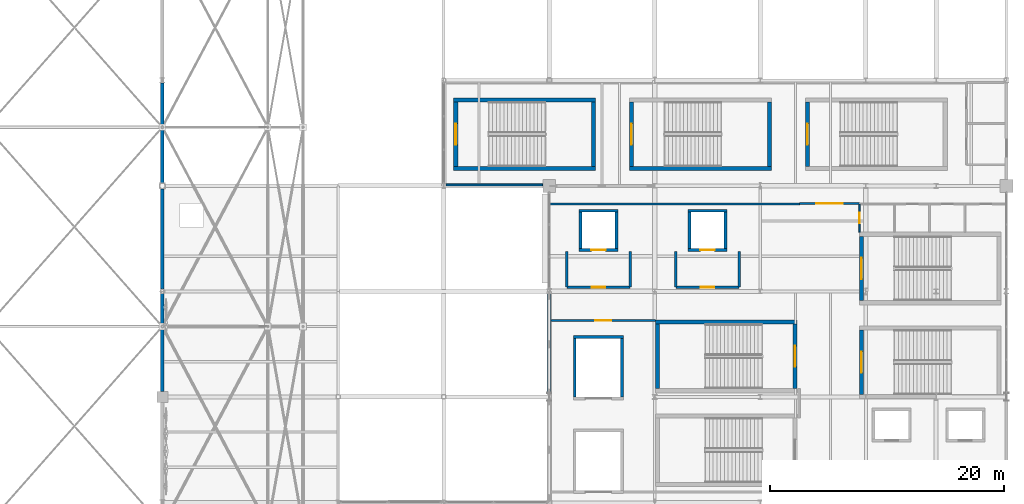
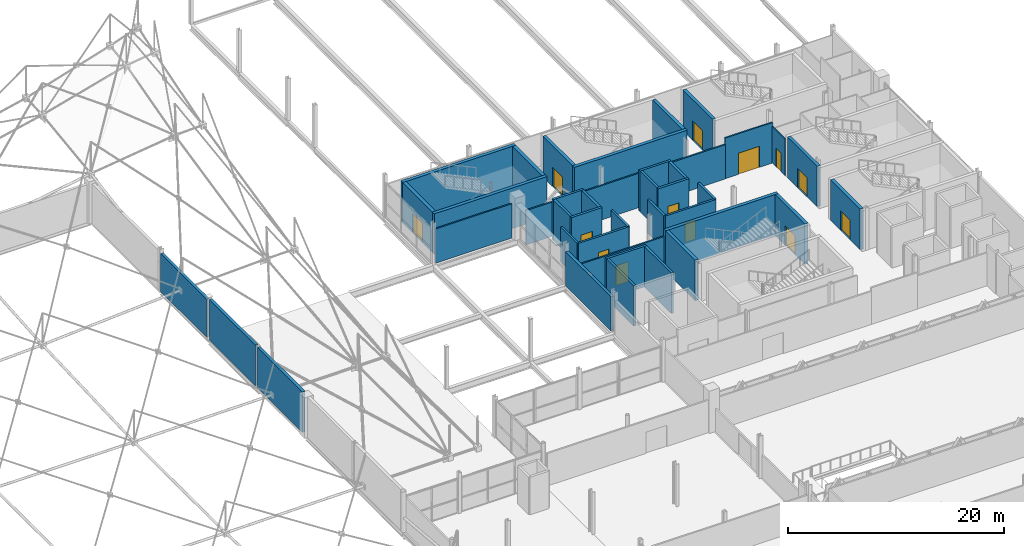
# One storey, part 199 of 224: 39 walls, 13 doors, 13 openings.
"""IFC4 building model written with IfcOpenShell, lengths in metres."""

from ifc_helpers import new_model, si_unit, direction, frame, frame_2d, origin, place, context, subcontext, project, spatial, rectangle, extrude, material, layer, layer_set, type_object, element, fill, save


model = new_model("IFC4")

# Units and contexts
model_context = context("Model", 3, precision=1e-05, world=origin(), true_north=direction((0.0, 1.0)))
body_context = subcontext(model_context, "Body", "Model", "MODEL_VIEW")
ifc_project = project(units=[si_unit("LENGTHUNIT", "METRE"), si_unit("AREAUNIT", "SQUARE_METRE"), si_unit("VOLUMEUNIT", "CUBIC_METRE"), si_unit("PLANEANGLEUNIT", "RADIAN"), si_unit("MASSUNIT", "GRAM", prefix="KILO")], contexts=[model_context])

# Site, building, storey
site_placement = place(None, origin())
site = spatial("IfcSite", under=ifc_project, at=site_placement, CompositionType="ELEMENT")
building_placement = place(site_placement, origin())
building = spatial("IfcBuilding", under=site, at=building_placement, Name="Qamarlyn Nura Convention Centre", CompositionType="ELEMENT")
storey_placement = place(building_placement, frame((0.0, 0.0, 10.800048828125)))
storey = spatial("IfcBuildingStorey", under=building, at=storey_placement, Name="L02", CompositionType="ELEMENT", Elevation=10.800048828125)

# Wall, opening, door
ifc_material_1 = material(Name="Fire-rated acoustic gypsum board and mineral wool EI 120")
ifc_layer_1 = layer(ifc_material_1, 0.219970703125, Name="WT-COMP-220")
ifc_layer_set_1 = layer_set([ifc_layer_1], Name="Fire-rated acoustic gypsum board and mineral wool EI 120")
wall_type_1 = type_object("IfcWallType", Name="WT-COMP-220", PredefinedType="SOLIDWALL", material=ifc_layer_set_1)
wall_1_placement = place(storey_placement, frame((154.5, 72.35009765625, 0.0), z_axis=(0.0, 0.0, 1.0), x_axis=(1.0, 0.0, 0.0)))
wall_1 = element("IfcWall", 1, at=wall_1_placement, inside=storey, type_object=wall_type_1, Name="L02 firefighting lobby barrier wall FFL-03-OPP", PredefinedType="SOLIDWALL", context=body_context, shape_type="SweptSolid", body=[
    extrude(rectangle(XDim=5.39990234375, YDim=0.219970703125, at=frame_2d((2.699951171875, 0.0))), origin(), (0.0, 0.0, 1.0), 3.973876953125),
])
opening_1_placement = place(wall_1_placement, frame((2.139892578125, 0.0, 0.0)))
opening_1 = element("IfcOpeningElement", 2, at=opening_1_placement, cuts=wall_1, Name="Opening DF-120", PredefinedType="OPENING", context=body_context, shape_type="SweptSolid", body=[
    extrude(rectangle(XDim=1.1201171875, YDim=2.199951171875, at=frame_2d((0.56005859375, 1.10009765625))), frame((0.0, 0.1201171875, 0.0), z_axis=(0.0, -1.0, 0.0), x_axis=(1.0, 0.0, 0.0)), (0.0, 0.0, 1.0), 0.239990234375),
])
ifc_material_2 = material(Name="Galvanised fire-rated hollow steel door", Category="steel")
door_type_1 = type_object("IfcDoorType", Name="DR-FFL-1120", OperationType="NOTDEFINED", PredefinedType="DOOR", material=ifc_material_2)
door_1_placement = place(opening_1_placement, origin())
door_1 = element("IfcDoor", 3, at=door_1_placement, inside=storey, type_object=door_type_1, Name="L02 firefighting lobby door FFL-03 (DF-120)", OperationType="SINGLE_SWING_RIGHT", OverallHeight=2.199951171875, OverallWidth=1.1201171875, PredefinedType="DOOR", context=body_context, shape_type="SweptSolid", body=[
    extrude(rectangle(XDim=1.1201171875, YDim=2.199951171875, at=frame_2d((0.56005859375, 1.10009765625))), frame((0.0, 0.02490234375, 0.0), z_axis=(0.0, -1.0, 0.0), x_axis=(1.0, 0.0, 0.0)), (0.0, 0.0, 1.0), 0.050048828125),
])
fill(opening_1, door_1)

# Walls
for number, where, z_axis, x_axis, name in (
    (4, (154.5, 72.35009765625, 0.0), (0.0, 0.0, 1.0), (0.0, 1.0, 0.0), "L02 firefighting lobby barrier wall FFL-03-W"),
    (5, (159.89990234375, 72.35009765625, 0.0), (0.0, 0.0, 1.0), (0.0, 1.0, 0.0), "L02 firefighting lobby barrier wall FFL-03-E"),
):
    element("IfcWall", number, at=place(storey_placement, frame(where, z_axis=z_axis, x_axis=x_axis)), inside=storey, type_object=wall_type_1, Name=name, PredefinedType="SOLIDWALL", context=body_context, shape_type="SweptSolid", body=[
        extrude(rectangle(XDim=3.0498046875, YDim=0.219970703125, at=frame_2d((1.52490234375, 0.0))), origin(), (0.0, 0.0, 1.0), 3.973876953125),
    ])

# Wall, opening, door
wall_2_placement = place(storey_placement, frame((163.800048828125, 72.35009765625, 0.0), z_axis=(0.0, 0.0, 1.0), x_axis=(1.0, 0.0, 0.0)))
wall_2 = element("IfcWall", 6, at=wall_2_placement, inside=storey, type_object=wall_type_1, Name="L02 firefighting lobby barrier wall FFL-04-OPP", PredefinedType="SOLIDWALL", context=body_context, shape_type="SweptSolid", body=[
    extrude(rectangle(XDim=5.39990234375, YDim=0.219970703125, at=frame_2d((2.699951171875, 0.0))), origin(), (0.0, 0.0, 1.0), 3.81201171875),
])
opening_2_placement = place(wall_2_placement, frame((2.139892578125, 0.0, 0.0)))
opening_2 = element("IfcOpeningElement", 7, at=opening_2_placement, cuts=wall_2, Name="Opening DF-127", PredefinedType="OPENING", context=body_context, shape_type="SweptSolid", body=[
    extrude(rectangle(XDim=1.1201171875, YDim=2.199951171875, at=frame_2d((0.56005859375, 1.10009765625))), frame((0.0, 0.1201171875, 0.0), z_axis=(0.0, -1.0, 0.0), x_axis=(1.0, 0.0, 0.0)), (0.0, 0.0, 1.0), 0.239990234375),
])
door_2_placement = place(opening_2_placement, origin())
door_2 = element("IfcDoor", 8, at=door_2_placement, inside=storey, type_object=door_type_1, Name="L02 firefighting lobby door FFL-04 (DF-127)", OperationType="SINGLE_SWING_LEFT", OverallHeight=2.199951171875, OverallWidth=1.1201171875, PredefinedType="DOOR", context=body_context, shape_type="SweptSolid", body=[
    extrude(rectangle(XDim=1.1201171875, YDim=2.199951171875, at=frame_2d((0.56005859375, 1.10009765625))), frame((0.0, 0.02490234375, 0.0), z_axis=(0.0, -1.0, 0.0), x_axis=(1.0, 0.0, 0.0)), (0.0, 0.0, 1.0), 0.050048828125),
])
fill(opening_2, door_2)

# Walls
for number, where, z_axis, x_axis, name in (
    (9, (163.800048828125, 72.35009765625, 0.0), (0.0, 0.0, 1.0), (0.0, 1.0, 0.0), "L02 firefighting lobby barrier wall FFL-04-W"),
    (10, (169.199951171875, 72.35009765625, 0.0), (0.0, 0.0, 1.0), (0.0, 1.0, 0.0), "L02 firefighting lobby barrier wall FFL-04-E"),
):
    element("IfcWall", number, at=place(storey_placement, frame(where, z_axis=z_axis, x_axis=x_axis)), inside=storey, type_object=wall_type_1, Name=name, PredefinedType="SOLIDWALL", context=body_context, shape_type="SweptSolid", body=[
        extrude(rectangle(XDim=3.0498046875, YDim=0.219970703125, at=frame_2d((1.52490234375, 0.0))), origin(), (0.0, 0.0, 1.0), 3.81201171875),
    ])
ifc_material_3 = material(Name="Concrete C50/60", Category="concrete")
ifc_layer_2 = layer(ifc_material_3, 0.35009765625, Name="WT-CORE-350")
ifc_layer_set_2 = layer_set([ifc_layer_2], Name="Concrete C50/60")
wall_type_2 = type_object("IfcWallType", Name="WT-CORE-350", PredefinedType="SHEAR", material=ifc_layer_set_2)
wall_3_placement = place(storey_placement, frame((174.14990234375, 69.375, 0.0), z_axis=(0.0, 0.0, 1.0), x_axis=(-1.0, 0.0, 0.0)))
element("IfcWall", 11, at=wall_3_placement, inside=storey, type_object=wall_type_2, Name="L02 stair core shear wall ST-12-N", PredefinedType="SHEAR", context=body_context, shape_type="SweptSolid", body=[
    extrude(rectangle(XDim=12.099853515625, YDim=0.35009765625, at=frame_2d((6.0498046875, 0.0))), origin(), (0.0, 0.0, 1.0), 4.599853515625),
])
wall_4_placement = place(storey_placement, frame((162.22509765625, 69.199951171875, 0.0), z_axis=(0.0, 0.0, 1.0), x_axis=(0.0, -1.0, 0.0)))
element("IfcWall", 12, at=wall_4_placement, inside=storey, type_object=wall_type_2, Name="L02 stair core shear wall ST-12-W", PredefinedType="SHEAR", context=body_context, shape_type="SweptSolid", body=[
    extrude(rectangle(XDim=5.5, YDim=0.35009765625, at=frame_2d((2.75, 0.0))), origin(), (0.0, 0.0, 1.0), 4.599853515625),
])

# Wall, opening, door
wall_5_placement = place(storey_placement, frame((173.97509765625, 63.699951171875, 0.0), z_axis=(0.0, 0.0, 1.0), x_axis=(0.0, 1.0, 0.0)))
wall_5 = element("IfcWall", 13, at=wall_5_placement, inside=storey, type_object=wall_type_2, Name="L02 stair core shear wall ST-12-E", PredefinedType="SHEAR", context=body_context, shape_type="SweptSolid", body=[
    extrude(rectangle(XDim=5.5, YDim=0.35009765625, at=frame_2d((2.75, 0.0))), origin(), (0.0, 0.0, 1.0), 4.599853515625),
])
opening_3_placement = place(wall_5_placement, frame((1.85009765625, 0.0, 0.0)))
opening_3 = element("IfcOpeningElement", 14, at=opening_3_placement, cuts=wall_5, Name="Opening DS-053", PredefinedType="OPENING", context=body_context, shape_type="SweptSolid", body=[
    extrude(rectangle(XDim=1.800048828125, YDim=2.199951171875, at=frame_2d((0.89990234375, 1.10009765625))), frame((0.0, 0.18505859375, 0.0), z_axis=(0.0, -1.0, 0.0), x_axis=(1.0, 0.0, 0.0)), (0.0, 0.0, 1.0), 0.3701171875),
])
door_type_2 = type_object("IfcDoorType", Name="DR-STAIR-1800", OperationType="DOUBLE_DOOR_SINGLE_SWING", PredefinedType="DOOR", material=ifc_material_2)
door_3_placement = place(opening_3_placement, origin())
door_3 = element("IfcDoor", 15, at=door_3_placement, inside=storey, type_object=door_type_2, Name="L02 exit stair door ST-12 (DS-053)", OperationType="DOUBLE_DOOR_SINGLE_SWING", OverallHeight=2.199951171875, OverallWidth=1.800048828125, PredefinedType="DOOR", context=body_context, shape_type="SweptSolid", body=[
    extrude(rectangle(XDim=1.800048828125, YDim=2.199951171875, at=frame_2d((0.89990234375, 1.10009765625))), frame((0.0, 0.02490234375, 0.0), z_axis=(0.0, -1.0, 0.0), x_axis=(1.0, 0.0, 0.0)), (0.0, 0.0, 1.0), 0.050048828125),
])
fill(opening_3, door_3)

wall_6_placement = place(storey_placement, frame((179.625, 68.699951171875, 0.0), z_axis=(0.0, 0.0, 1.0), x_axis=(0.0, -1.0, 0.0)))
wall_6 = element("IfcWall", 16, at=wall_6_placement, inside=storey, type_object=wall_type_2, Name="L02 stair core shear wall ST-13-W", PredefinedType="SHEAR", context=body_context, shape_type="SweptSolid", body=[
    extrude(rectangle(XDim=5.5, YDim=0.35009765625, at=frame_2d((2.75, 0.0))), origin(), (0.0, 0.0, 1.0), 4.599853515625),
])
opening_4_placement = place(wall_6_placement, frame((1.85009765625, 0.0, 0.0)))
opening_4 = element("IfcOpeningElement", 17, at=opening_4_placement, cuts=wall_6, Name="Opening DS-060", PredefinedType="OPENING", context=body_context, shape_type="SweptSolid", body=[
    extrude(rectangle(XDim=1.800048828125, YDim=2.199951171875, at=frame_2d((0.89990234375, 1.10009765625))), frame((0.0, 0.18505859375, 0.0), z_axis=(0.0, -1.0, 0.0), x_axis=(1.0, 0.0, 0.0)), (0.0, 0.0, 1.0), 0.3701171875),
])
door_4_placement = place(opening_4_placement, origin())
door_4 = element("IfcDoor", 18, at=door_4_placement, inside=storey, type_object=door_type_2, Name="L02 exit stair door ST-13 (DS-060)", OperationType="DOUBLE_DOOR_SINGLE_SWING", OverallHeight=2.199951171875, OverallWidth=1.800048828125, PredefinedType="DOOR", context=body_context, shape_type="SweptSolid", body=[
    extrude(rectangle(XDim=1.800048828125, YDim=2.199951171875, at=frame_2d((0.89990234375, 1.10009765625))), frame((0.0, 0.02490234375, 0.0), z_axis=(0.0, -1.0, 0.0), x_axis=(1.0, 0.0, 0.0)), (0.0, 0.0, 1.0), 0.050048828125),
])
fill(opening_4, door_4)

wall_7_placement = place(storey_placement, frame((179.625, 76.699951171875, 0.0), z_axis=(0.0, 0.0, 1.0), x_axis=(0.0, -1.0, 0.0)))
wall_7 = element("IfcWall", 19, at=wall_7_placement, inside=storey, type_object=wall_type_2, Name="L02 stair core shear wall ST-14-W", PredefinedType="SHEAR", context=body_context, shape_type="SweptSolid", body=[
    extrude(rectangle(XDim=5.5, YDim=0.35009765625, at=frame_2d((2.75, 0.0))), origin(), (0.0, 0.0, 1.0), 4.599853515625),
])
opening_5_placement = place(wall_7_placement, frame((1.85009765625, 0.0, 0.0)))
opening_5 = element("IfcOpeningElement", 20, at=opening_5_placement, cuts=wall_7, Name="Opening DS-067", PredefinedType="OPENING", context=body_context, shape_type="SweptSolid", body=[
    extrude(rectangle(XDim=1.800048828125, YDim=2.199951171875, at=frame_2d((0.89990234375, 1.10009765625))), frame((0.0, 0.18505859375, 0.0), z_axis=(0.0, -1.0, 0.0), x_axis=(1.0, 0.0, 0.0)), (0.0, 0.0, 1.0), 0.3701171875),
])
door_5_placement = place(opening_5_placement, origin())
door_5 = element("IfcDoor", 21, at=door_5_placement, inside=storey, type_object=door_type_2, Name="L02 exit stair door ST-14 (DS-067)", OperationType="DOUBLE_DOOR_SINGLE_SWING", OverallHeight=2.199951171875, OverallWidth=1.800048828125, PredefinedType="DOOR", context=body_context, shape_type="SweptSolid", body=[
    extrude(rectangle(XDim=1.800048828125, YDim=2.199951171875, at=frame_2d((0.89990234375, 1.10009765625))), frame((0.0, 0.02490234375, 0.0), z_axis=(0.0, -1.0, 0.0), x_axis=(1.0, 0.0, 0.0)), (0.0, 0.0, 1.0), 0.050048828125),
])
fill(opening_5, door_5)

# Walls
for number, where, z_axis, x_axis, name in (
    (22, (144.85009765625, 82.47509765625, 0.0), (0.0, 0.0, 1.0), (1.0, 0.0, 0.0), "L02 stair core shear wall ST-15-S"),
    (23, (156.949951171875, 88.324951171875, 0.0), (0.0, 0.0, 1.0), (-1.0, 0.0, 0.0), "L02 stair core shear wall ST-15-N"),
):
    element("IfcWall", number, at=place(storey_placement, frame(where, z_axis=z_axis, x_axis=x_axis)), inside=storey, type_object=wall_type_2, Name=name, PredefinedType="SHEAR", context=body_context, shape_type="SweptSolid", body=[
        extrude(rectangle(XDim=12.099853515625, YDim=0.35009765625, at=frame_2d((6.0498046875, 0.0))), origin(), (0.0, 0.0, 1.0), 4.599853515625),
    ])

# Wall, opening, door
wall_8_placement = place(storey_placement, frame((145.02490234375, 88.14990234375, 0.0), z_axis=(0.0, 0.0, 1.0), x_axis=(0.0, -1.0, 0.0)))
wall_8 = element("IfcWall", 24, at=wall_8_placement, inside=storey, type_object=wall_type_2, Name="L02 stair core shear wall ST-15-W", PredefinedType="SHEAR", context=body_context, shape_type="SweptSolid", body=[
    extrude(rectangle(XDim=5.5, YDim=0.35009765625, at=frame_2d((2.75, 0.0))), origin(), (0.0, 0.0, 1.0), 4.599853515625),
])
opening_6_placement = place(wall_8_placement, frame((1.85009765625, 0.0, 0.0)))
opening_6 = element("IfcOpeningElement", 25, at=opening_6_placement, cuts=wall_8, Name="Opening DS-074", PredefinedType="OPENING", context=body_context, shape_type="SweptSolid", body=[
    extrude(rectangle(XDim=1.800048828125, YDim=2.199951171875, at=frame_2d((0.89990234375, 1.10009765625))), frame((0.0, 0.18505859375, 0.0), z_axis=(0.0, -1.0, 0.0), x_axis=(1.0, 0.0, 0.0)), (0.0, 0.0, 1.0), 0.3701171875),
])
door_6_placement = place(opening_6_placement, origin())
door_6 = element("IfcDoor", 26, at=door_6_placement, inside=storey, type_object=door_type_2, Name="L02 exit stair door ST-15 (DS-074)", OperationType="DOUBLE_DOOR_SINGLE_SWING", OverallHeight=2.199951171875, OverallWidth=1.800048828125, PredefinedType="DOOR", context=body_context, shape_type="SweptSolid", body=[
    extrude(rectangle(XDim=1.800048828125, YDim=2.199951171875, at=frame_2d((0.89990234375, 1.10009765625))), frame((0.0, 0.02490234375, 0.0), z_axis=(0.0, -1.0, 0.0), x_axis=(1.0, 0.0, 0.0)), (0.0, 0.0, 1.0), 0.050048828125),
])
fill(opening_6, door_6)

# Walls
wall_9_placement = place(storey_placement, frame((156.77490234375, 82.64990234375, 0.0), z_axis=(0.0, 0.0, 1.0), x_axis=(0.0, 1.0, 0.0)))
element("IfcWall", 27, at=wall_9_placement, inside=storey, type_object=wall_type_2, Name="L02 stair core shear wall ST-15-E", PredefinedType="SHEAR", context=body_context, shape_type="SweptSolid", body=[
    extrude(rectangle(XDim=5.5, YDim=0.35009765625, at=frame_2d((2.75, 0.0))), origin(), (0.0, 0.0, 1.0), 4.599853515625),
])
wall_10_placement = place(storey_placement, frame((159.85009765625, 82.47509765625, 0.0), z_axis=(0.0, 0.0, 1.0), x_axis=(1.0, 0.0, 0.0)))
element("IfcWall", 28, at=wall_10_placement, inside=storey, type_object=wall_type_2, Name="L02 stair core shear wall ST-16-S", PredefinedType="SHEAR", context=body_context, shape_type="SweptSolid", body=[
    extrude(rectangle(XDim=12.099853515625, YDim=0.35009765625, at=frame_2d((6.0498046875, 0.0))), origin(), (0.0, 0.0, 1.0), 4.599853515625),
])

# Wall, opening, door
wall_11_placement = place(storey_placement, frame((160.02490234375, 88.14990234375, 0.0), z_axis=(0.0, 0.0, 1.0), x_axis=(0.0, -1.0, 0.0)))
wall_11 = element("IfcWall", 29, at=wall_11_placement, inside=storey, type_object=wall_type_2, Name="L02 stair core shear wall ST-16-W", PredefinedType="SHEAR", context=body_context, shape_type="SweptSolid", body=[
    extrude(rectangle(XDim=5.5, YDim=0.35009765625, at=frame_2d((2.75, 0.0))), origin(), (0.0, 0.0, 1.0), 4.599853515625),
])
opening_7_placement = place(wall_11_placement, frame((1.85009765625, 0.0, 0.0)))
opening_7 = element("IfcOpeningElement", 30, at=opening_7_placement, cuts=wall_11, Name="Opening DS-080", PredefinedType="OPENING", context=body_context, shape_type="SweptSolid", body=[
    extrude(rectangle(XDim=1.800048828125, YDim=2.199951171875, at=frame_2d((0.89990234375, 1.10009765625))), frame((0.0, 0.18505859375, 0.0), z_axis=(0.0, -1.0, 0.0), x_axis=(1.0, 0.0, 0.0)), (0.0, 0.0, 1.0), 0.3701171875),
])
door_7_placement = place(opening_7_placement, origin())
door_7 = element("IfcDoor", 31, at=door_7_placement, inside=storey, type_object=door_type_2, Name="L02 exit stair door ST-16 (DS-080)", OperationType="DOUBLE_DOOR_SINGLE_SWING", OverallHeight=2.199951171875, OverallWidth=1.800048828125, PredefinedType="DOOR", context=body_context, shape_type="SweptSolid", body=[
    extrude(rectangle(XDim=1.800048828125, YDim=2.199951171875, at=frame_2d((0.89990234375, 1.10009765625))), frame((0.0, 0.02490234375, 0.0), z_axis=(0.0, -1.0, 0.0), x_axis=(1.0, 0.0, 0.0)), (0.0, 0.0, 1.0), 0.050048828125),
])
fill(opening_7, door_7)

# Wall
wall_12_placement = place(storey_placement, frame((171.77490234375, 82.64990234375, 0.0), z_axis=(0.0, 0.0, 1.0), x_axis=(0.0, 1.0, 0.0)))
element("IfcWall", 32, at=wall_12_placement, inside=storey, type_object=wall_type_2, Name="L02 stair core shear wall ST-16-E", PredefinedType="SHEAR", context=body_context, shape_type="SweptSolid", body=[
    extrude(rectangle(XDim=5.5, YDim=0.35009765625, at=frame_2d((2.75, 0.0))), origin(), (0.0, 0.0, 1.0), 4.599853515625),
])

# Wall, opening, door
wall_13_placement = place(storey_placement, frame((175.02490234375, 88.14990234375, 0.0), z_axis=(0.0, 0.0, 1.0), x_axis=(0.0, -1.0, 0.0)))
wall_13 = element("IfcWall", 33, at=wall_13_placement, inside=storey, type_object=wall_type_2, Name="L02 stair core shear wall ST-17-W", PredefinedType="SHEAR", context=body_context, shape_type="SweptSolid", body=[
    extrude(rectangle(XDim=5.5, YDim=0.35009765625, at=frame_2d((2.75, 0.0))), origin(), (0.0, 0.0, 1.0), 4.599853515625),
])
opening_8_placement = place(wall_13_placement, frame((1.85009765625, 0.0, 0.0)))
opening_8 = element("IfcOpeningElement", 34, at=opening_8_placement, cuts=wall_13, Name="Opening DS-085", PredefinedType="OPENING", context=body_context, shape_type="SweptSolid", body=[
    extrude(rectangle(XDim=1.800048828125, YDim=2.199951171875, at=frame_2d((0.89990234375, 1.10009765625))), frame((0.0, 0.18505859375, 0.0), z_axis=(0.0, -1.0, 0.0), x_axis=(1.0, 0.0, 0.0)), (0.0, 0.0, 1.0), 0.3701171875),
])
door_8_placement = place(opening_8_placement, origin())
door_8 = element("IfcDoor", 35, at=door_8_placement, inside=storey, type_object=door_type_2, Name="L02 exit stair door ST-17 (DS-085)", OperationType="DOUBLE_DOOR_SINGLE_SWING", OverallHeight=2.199951171875, OverallWidth=1.800048828125, PredefinedType="DOOR", context=body_context, shape_type="SweptSolid", body=[
    extrude(rectangle(XDim=1.800048828125, YDim=2.199951171875, at=frame_2d((0.89990234375, 1.10009765625))), frame((0.0, 0.02490234375, 0.0), z_axis=(0.0, -1.0, 0.0), x_axis=(1.0, 0.0, 0.0)), (0.0, 0.0, 1.0), 0.050048828125),
])
fill(opening_8, door_8)

# Walls
ifc_material_4 = material(Name="Concrete C40/50 with UAE coastal limestone stone facing", Category="masonry")
ifc_layer_3 = layer(ifc_material_4, 0.300048828125, Name="WT-LIME-300")
ifc_layer_set_3 = layer_set([ifc_layer_3], Name="Concrete C40/50 with UAE coastal limestone stone facing")
wall_type_3 = type_object("IfcWallType", Name="WT-LIME-300", PredefinedType="SOLIDWALL", material=ifc_layer_set_3)
wall_14_placement = place(storey_placement, frame((120.0, 71.796875, 0.0), z_axis=(0.0, 0.0, 1.0), x_axis=(0.0, -1.0, 0.0)))
element("IfcWall", 36, at=wall_14_placement, inside=storey, type_object=wall_type_3, Name="L02 exterior facade wall WEXT-L02-1200-718-1200-635", PredefinedType="SOLIDWALL", context=body_context, shape_type="SweptSolid", body=[
    extrude(rectangle(XDim=8.32177734375, YDim=0.300048828125, at=frame_2d((4.160888671875, 0.0))), origin(), (0.0, 0.0, 1.0), 4.599853515625),
])
wall_15_placement = place(storey_placement, frame((120.0, 80.74609375, 0.0), z_axis=(0.0, 0.0, 1.0), x_axis=(0.0, -1.0, 0.0)))
element("IfcWall", 37, at=wall_15_placement, inside=storey, type_object=wall_type_3, Name="L02 exterior facade wall WEXT-L02-1200-807-1200-722", PredefinedType="SOLIDWALL", context=body_context, shape_type="SweptSolid", body=[
    extrude(rectangle(XDim=8.54296875, YDim=0.300048828125, at=frame_2d((4.271484375, 0.0))), origin(), (0.0, 0.0, 1.0), 4.599853515625),
])
wall_16_placement = place(storey_placement, frame((120.0, 89.78759765625, 0.0), z_axis=(0.0, 0.0, 1.0), x_axis=(0.0, -1.0, 0.0)))
element("IfcWall", 38, at=wall_16_placement, inside=storey, type_object=wall_type_3, Name="L02 exterior facade wall WEXT-L02-1200-898-1200-813", PredefinedType="SOLIDWALL", context=body_context, shape_type="SweptSolid", body=[
    extrude(rectangle(XDim=8.53369140625, YDim=0.300048828125, at=frame_2d((4.266845703125, 0.0))), origin(), (0.0, 0.0, 1.0), 4.31884765625),
])
wall_17_placement = place(storey_placement, frame((153.0, 63.347412109375, 0.0), z_axis=(0.0, 0.0, 1.0), x_axis=(0.0, 1.0, 0.0)))
element("IfcWall", 39, at=wall_17_placement, inside=storey, type_object=wall_type_3, Name="L02 exterior facade wall WEXT-L02-1530-633-1530-718", PredefinedType="SOLIDWALL", context=body_context, shape_type="SweptSolid", body=[
    extrude(rectangle(XDim=8.440185546875, YDim=0.300048828125, at=frame_2d((4.22021484375, 0.0))), origin(), (0.0, 0.0, 1.0), 3.889892578125),
])

# Wall, opening, door
ifc_material_5 = material(Name="Acoustic double-stud gypsum partition")
ifc_layer_4 = layer(ifc_material_5, 0.1201171875, Name="WT-PART-120")
ifc_layer_set_4 = layer_set([ifc_layer_4], Name="Acoustic double-stud gypsum partition")
wall_type_4 = type_object("IfcWallType", Name="WT-PART-120", PredefinedType="PARTITIONING", material=ifc_layer_set_4)
wall_18_placement = place(storey_placement, frame((179.449951171875, 77.050048828125, 0.0), z_axis=(0.0, 0.0, 1.0), x_axis=(0.0, 1.0, 0.0)))
wall_18 = element("IfcWall", 40, at=wall_18_placement, inside=storey, type_object=wall_type_4, Name="L02 interior partition L02-SIB-01-8-1", PredefinedType="PARTITIONING", context=body_context, shape_type="SweptSolid", body=[
    extrude(rectangle(XDim=2.39990234375, YDim=0.1201171875, at=frame_2d((1.199951171875, 0.0))), origin(), (0.0, 0.0, 1.0), 4.177978515625),
])
opening_9_placement = place(wall_18_placement, frame((0.75, 0.0, 0.0)))
opening_9 = element("IfcOpeningElement", 41, at=opening_9_placement, cuts=wall_18, Name="Opening D-L02-171", PredefinedType="OPENING", context=body_context, shape_type="SweptSolid", body=[
    extrude(rectangle(XDim=0.89990234375, YDim=2.10009765625, at=frame_2d((0.449951171875, 1.050048828125))), frame((0.0, 0.070068359375, 0.0), z_axis=(0.0, -1.0, 0.0), x_axis=(1.0, 0.0, 0.0)), (0.0, 0.0, 1.0), 0.14013671875),
])
ifc_material_6 = material(Name="Acoustic walnut timber leaf", Category="wood")
door_type_3 = type_object("IfcDoorType", Name="DR-SIB-090", OperationType="NOTDEFINED", PredefinedType="DOOR", material=ifc_material_6)
door_9_placement = place(opening_9_placement, origin())
door_9 = element("IfcDoor", 42, at=door_9_placement, inside=storey, type_object=door_type_3, Name="L02 Simultaneous Interpretation Booth 1 door D-L02-171", OperationType="SINGLE_SWING_RIGHT", OverallHeight=2.10009765625, OverallWidth=0.89990234375, PredefinedType="DOOR", context=body_context, shape_type="SweptSolid", body=[
    extrude(rectangle(XDim=0.89990234375, YDim=2.10009765625, at=frame_2d((0.449951171875, 1.050048828125))), frame((0.0, 0.02490234375, 0.0), z_axis=(0.0, -1.0, 0.0), x_axis=(1.0, 0.0, 0.0)), (0.0, 0.0, 1.0), 0.050048828125),
])
fill(opening_9, door_9)

ifc_material_7 = material(Name="Fire-rated acoustic gypsum board EI 60")
ifc_layer_5 = layer(ifc_material_7, 0.159912109375, Name="WT-PART-160")
ifc_layer_set_5 = layer_set([ifc_layer_5], Name="Fire-rated acoustic gypsum board EI 60")
wall_type_5 = type_object("IfcWallType", Name="WT-PART-160", PredefinedType="PARTITIONING", material=ifc_layer_set_5)
wall_19_placement = place(storey_placement, frame((153.14990234375, 69.510009765625, 0.0), z_axis=(0.0, 0.0, 1.0), x_axis=(1.0, 0.0, 0.0)))
wall_19 = element("IfcWall", 43, at=wall_19_placement, inside=storey, type_object=wall_type_5, Name="L02 interior partition L02-PAN-BNQ-1-1", PredefinedType="PARTITIONING", context=body_context, shape_type="SweptSolid", body=[
    extrude(rectangle(XDim=8.900146484375, YDim=0.159912109375, at=frame_2d((4.4501953125, 0.0))), origin(), (0.0, 0.0, 1.0), 3.81201171875),
])
opening_10_placement = place(wall_19_placement, frame((3.77001953125, 0.0, 0.0)))
opening_10 = element("IfcOpeningElement", 44, at=opening_10_placement, cuts=wall_19, Name="Opening D-L02-187", PredefinedType="OPENING", context=body_context, shape_type="SweptSolid", body=[
    extrude(rectangle(XDim=1.360107421875, YDim=2.280029296875, at=frame_2d((0.68017578125, 1.14013671875))), frame((0.0, 0.08984375, 0.0), z_axis=(0.0, -1.0, 0.0), x_axis=(1.0, 0.0, 0.0)), (0.0, 0.0, 1.0), 0.179931640625),
])
door_type_4 = type_object("IfcDoorType", Name="DR-CONF-1360", OperationType="DOUBLE_DOOR_SINGLE_SWING", PredefinedType="DOOR", material=ifc_material_6)
door_10_placement = place(opening_10_placement, origin())
door_10 = element("IfcDoor", 45, at=door_10_placement, inside=storey, type_object=door_type_4, Name="L02 Banquet Finishing Pantry door D-L02-187", OperationType="DOUBLE_DOOR_SINGLE_SWING", OverallHeight=2.280029296875, OverallWidth=1.360107421875, PredefinedType="DOOR", context=body_context, shape_type="SweptSolid", body=[
    extrude(rectangle(XDim=1.360107421875, YDim=2.280029296875, at=frame_2d((0.68017578125, 1.14013671875))), frame((0.0, 0.02490234375, 0.0), z_axis=(0.0, -1.0, 0.0), x_axis=(1.0, 0.0, 0.0)), (0.0, 0.0, 1.0), 0.050048828125),
])
fill(opening_10, door_10)

wall_20_placement = place(storey_placement, frame((179.449951171875, 79.489990234375, 0.0), z_axis=(0.0, 0.0, 1.0), x_axis=(-1.0, 0.0, 0.0)))
wall_20 = element("IfcWall", 46, at=wall_20_placement, inside=storey, type_object=wall_type_5, Name="L02 interior partition L02-PLN-FOY2-106-1", PredefinedType="PARTITIONING", context=body_context, shape_type="SweptSolid", body=[
    extrude(rectangle(XDim=5.099853515625, YDim=0.159912109375, at=frame_2d((2.5498046875, 0.0))), origin(), (0.0, 0.0, 1.0), 4.599853515625),
])
opening_11_placement = place(wall_20_placement, frame((1.425048828125, 0.0, 0.0)))
opening_11 = element("IfcOpeningElement", 47, at=opening_11_placement, cuts=wall_20, Name="Opening D-L02-189", PredefinedType="OPENING", context=body_context, shape_type="SweptSolid", body=[
    extrude(rectangle(XDim=2.25, YDim=2.39990234375, at=frame_2d((1.125, 1.199951171875))), frame((0.0, 0.08984375, 0.0), z_axis=(0.0, -1.0, 0.0), x_axis=(1.0, 0.0, 0.0)), (0.0, 0.0, 1.0), 0.179931640625),
])
door_type_5 = type_object("IfcDoorType", Name="DR-HALL-2250", OperationType="DOUBLE_DOOR_SINGLE_SWING", PredefinedType="DOOR", material=ifc_material_6)
door_11_placement = place(opening_11_placement, origin())
door_11 = element("IfcDoor", 48, at=door_11_placement, inside=storey, type_object=door_type_5, Name="L02 Upper Plenary Foyer door D-L02-189", OperationType="DOUBLE_DOOR_SINGLE_SWING", OverallHeight=2.39990234375, OverallWidth=2.25, PredefinedType="DOOR", context=body_context, shape_type="SweptSolid", body=[
    extrude(rectangle(XDim=2.25, YDim=2.39990234375, at=frame_2d((1.125, 1.199951171875))), frame((0.0, 0.02490234375, 0.0), z_axis=(0.0, -1.0, 0.0), x_axis=(1.0, 0.0, 0.0)), (0.0, 0.0, 1.0), 0.050048828125),
])
fill(opening_11, door_11)

# Walls
wall_21_placement = place(storey_placement, frame((174.35009765625, 79.449951171875, 0.0), z_axis=(0.0, 0.0, 1.0), x_axis=(-1.0, 0.0, 0.0)))
element("IfcWall", 49, at=wall_21_placement, inside=storey, type_object=wall_type_5, Name="L02 interior partition L02-PLN-FOY2-123-1", PredefinedType="PARTITIONING", context=body_context, shape_type="SweptSolid", body=[
    extrude(rectangle(XDim=21.338134765625, YDim=0.159912109375, at=frame_2d((10.6689453125, 0.0))), origin(), (0.0, 0.0, 1.0), 3.889892578125),
])
wall_22_placement = place(storey_placement, frame((152.43994140625, 81.080078125, 0.0), z_axis=(0.0, 0.0, 1.0), x_axis=(-1.0, 0.0, 0.0)))
element("IfcWall", 50, at=wall_22_placement, inside=storey, type_object=wall_type_5, Name="L02 interior partition L02-PLN-FOY2-141-1", PredefinedType="PARTITIONING", context=body_context, shape_type="SweptSolid", body=[
    extrude(rectangle(XDim=8.22998046875, YDim=0.159912109375, at=frame_2d((4.114990234375, 0.0))), origin(), (0.0, 0.0, 1.0), 3.889892578125),
])

# Wall, opening, door
ifc_layer_6 = layer(ifc_material_1, 0.25, Name="WT-SHAFT-250")
ifc_layer_set_6 = layer_set([ifc_layer_6], Name="Fire-rated acoustic gypsum board and mineral wool EI 120")
wall_type_6 = type_object("IfcWallType", Name="WT-SHAFT-250", PredefinedType="SOLIDWALL", material=ifc_layer_set_6)
wall_23_placement = place(storey_placement, frame((155.550048828125, 75.52490234375, 0.0), z_axis=(0.0, 0.0, 1.0), x_axis=(1.0, 0.0, 0.0)))
wall_23 = element("IfcWall", 51, at=wall_23_placement, inside=storey, type_object=wall_type_6, Name="L02 lift shaft enclosure wall FFL-03 -y", PredefinedType="SOLIDWALL", context=body_context, shape_type="SweptSolid", body=[
    extrude(rectangle(XDim=3.300048828125, YDim=0.25, at=frame_2d((1.64990234375, 0.0))), origin(), (0.0, 0.0, 1.0), 4.599853515625),
])
opening_12_placement = place(wall_23_placement, frame((1.050048828125, 0.0, 0.0)))
opening_12 = element("IfcOpeningElement", 52, at=opening_12_placement, cuts=wall_23, Name="Opening LD-FFL-03-L02", PredefinedType="OPENING", context=body_context, shape_type="SweptSolid", body=[
    extrude(rectangle(XDim=1.199951171875, YDim=2.25, at=frame_2d((0.60009765625, 1.125))), frame((0.0, 0.135009765625, 0.0), z_axis=(0.0, -1.0, 0.0), x_axis=(1.0, 0.0, 0.0)), (0.0, 0.0, 1.0), 0.27001953125),
])
ifc_material_8 = material(Name="Marine Grade 316 stainless steel", Category="steel")
door_type_6 = type_object("IfcDoorType", Name="DR-LD-FFL", OperationType="DOUBLE_DOOR_SLIDING", PredefinedType="DOOR", material=ifc_material_8)
door_12_placement = place(opening_12_placement, origin())
door_12 = element("IfcDoor", 53, at=door_12_placement, inside=storey, type_object=door_type_6, Name="Lift landing door LD-FFL-03-L02", OperationType="DOUBLE_DOOR_SLIDING", OverallHeight=2.25, OverallWidth=1.199951171875, PredefinedType="DOOR", context=body_context, shape_type="SweptSolid", body=[
    extrude(rectangle(XDim=1.199951171875, YDim=2.25, at=frame_2d((0.60009765625, 1.125))), frame((0.0, 0.02490234375, 0.0), z_axis=(0.0, -1.0, 0.0), x_axis=(1.0, 0.0, 0.0)), (0.0, 0.0, 1.0), 0.050048828125),
])
fill(opening_12, door_12)

# Walls
wall_24_placement = place(storey_placement, frame((158.85009765625, 78.875, 0.0), z_axis=(0.0, 0.0, 1.0), x_axis=(-1.0, 0.0, 0.0)))
element("IfcWall", 54, at=wall_24_placement, inside=storey, type_object=wall_type_6, Name="L02 lift shaft enclosure wall FFL-03 +y", PredefinedType="SOLIDWALL", context=body_context, shape_type="SweptSolid", body=[
    extrude(rectangle(XDim=3.300048828125, YDim=0.25, at=frame_2d((1.64990234375, 0.0))), origin(), (0.0, 0.0, 1.0), 4.599853515625),
])
for number, where, z_axis, x_axis, name in (
    (55, (155.675048828125, 78.75, 0.0), (0.0, 0.0, 1.0), (0.0, -1.0, 0.0), "L02 lift shaft enclosure wall FFL-03 -x"),
    (56, (158.72509765625, 75.64990234375, 0.0), (0.0, 0.0, 1.0), (0.0, 1.0, 0.0), "L02 lift shaft enclosure wall FFL-03 +x"),
):
    element("IfcWall", number, at=place(storey_placement, frame(where, z_axis=z_axis, x_axis=x_axis)), inside=storey, type_object=wall_type_6, Name=name, PredefinedType="SOLIDWALL", context=body_context, shape_type="SweptSolid", body=[
        extrude(rectangle(XDim=3.10009765625, YDim=0.25, at=frame_2d((1.550048828125, 0.0))), origin(), (0.0, 0.0, 1.0), 4.599853515625),
    ])

# Wall, opening, door
wall_25_placement = place(storey_placement, frame((164.85009765625, 75.52490234375, 0.0), z_axis=(0.0, 0.0, 1.0), x_axis=(1.0, 0.0, 0.0)))
wall_25 = element("IfcWall", 57, at=wall_25_placement, inside=storey, type_object=wall_type_6, Name="L02 lift shaft enclosure wall FFL-04 -y", PredefinedType="SOLIDWALL", context=body_context, shape_type="SweptSolid", body=[
    extrude(rectangle(XDim=3.2998046875, YDim=0.25, at=frame_2d((1.64990234375, 0.0))), origin(), (0.0, 0.0, 1.0), 4.599853515625),
])
opening_13_placement = place(wall_25_placement, frame((1.050048828125, 0.0, 0.0)))
opening_13 = element("IfcOpeningElement", 58, at=opening_13_placement, cuts=wall_25, Name="Opening LD-FFL-04-L02", PredefinedType="OPENING", context=body_context, shape_type="SweptSolid", body=[
    extrude(rectangle(XDim=1.199951171875, YDim=2.25, at=frame_2d((0.60009765625, 1.125))), frame((0.0, 0.135009765625, 0.0), z_axis=(0.0, -1.0, 0.0), x_axis=(1.0, 0.0, 0.0)), (0.0, 0.0, 1.0), 0.27001953125),
])
door_13_placement = place(opening_13_placement, origin())
door_13 = element("IfcDoor", 59, at=door_13_placement, inside=storey, type_object=door_type_6, Name="Lift landing door LD-FFL-04-L02", OperationType="DOUBLE_DOOR_SLIDING", OverallHeight=2.25, OverallWidth=1.199951171875, PredefinedType="DOOR", context=body_context, shape_type="SweptSolid", body=[
    extrude(rectangle(XDim=1.199951171875, YDim=2.25, at=frame_2d((0.60009765625, 1.125))), frame((0.0, 0.02490234375, 0.0), z_axis=(0.0, -1.0, 0.0), x_axis=(1.0, 0.0, 0.0)), (0.0, 0.0, 1.0), 0.050048828125),
])
fill(opening_13, door_13)

# Walls
wall_26_placement = place(storey_placement, frame((168.14990234375, 78.875, 0.0), z_axis=(0.0, 0.0, 1.0), x_axis=(-1.0, 0.0, 0.0)))
element("IfcWall", 60, at=wall_26_placement, inside=storey, type_object=wall_type_6, Name="L02 lift shaft enclosure wall FFL-04 +y", PredefinedType="SOLIDWALL", context=body_context, shape_type="SweptSolid", body=[
    extrude(rectangle(XDim=3.2998046875, YDim=0.25, at=frame_2d((1.64990234375, 0.0))), origin(), (0.0, 0.0, 1.0), 4.599853515625),
])
for number, where, z_axis, x_axis, name in (
    (61, (164.97509765625, 78.75, 0.0), (0.0, 0.0, 1.0), (0.0, -1.0, 0.0), "L02 lift shaft enclosure wall FFL-04 -x"),
    (62, (168.02490234375, 75.64990234375, 0.0), (0.0, 0.0, 1.0), (0.0, 1.0, 0.0), "L02 lift shaft enclosure wall FFL-04 +x"),
):
    element("IfcWall", number, at=place(storey_placement, frame(where, z_axis=z_axis, x_axis=x_axis)), inside=storey, type_object=wall_type_6, Name=name, PredefinedType="SOLIDWALL", context=body_context, shape_type="SweptSolid", body=[
        extrude(rectangle(XDim=3.10009765625, YDim=0.25, at=frame_2d((1.550048828125, 0.0))), origin(), (0.0, 0.0, 1.0), 4.599853515625),
    ])
wall_27_placement = place(storey_placement, frame((159.35009765625, 68.125, 0.0), z_axis=(0.0, 0.0, 1.0), x_axis=(-1.0, 0.0, 0.0)))
element("IfcWall", 63, at=wall_27_placement, inside=storey, type_object=wall_type_6, Name="L02 lift shaft enclosure wall FL-04 +y", PredefinedType="SOLIDWALL", context=body_context, shape_type="SweptSolid", body=[
    extrude(rectangle(XDim=4.300048828125, YDim=0.25, at=frame_2d((2.14990234375, 0.0))), origin(), (0.0, 0.0, 1.0), 4.599853515625),
])
for number, where, z_axis, x_axis, name in (
    (64, (155.175048828125, 68.0, 0.0), (0.0, 0.0, 1.0), (0.0, -1.0, 0.0), "L02 lift shaft enclosure wall FL-04 -x"),
    (65, (159.22509765625, 63.0, 0.0), (0.0, 0.0, 1.0), (0.0, 1.0, 0.0), "L02 lift shaft enclosure wall FL-04 +x"),
):
    element("IfcWall", number, at=place(storey_placement, frame(where, z_axis=z_axis, x_axis=x_axis)), inside=storey, type_object=wall_type_6, Name=name, PredefinedType="SOLIDWALL", context=body_context, shape_type="SweptSolid", body=[
        extrude(rectangle(XDim=5.0, YDim=0.25, at=frame_2d((2.5, 0.0))), origin(), (0.0, 0.0, 1.0), 4.599853515625),
    ])

save(model, "model.ifc")
